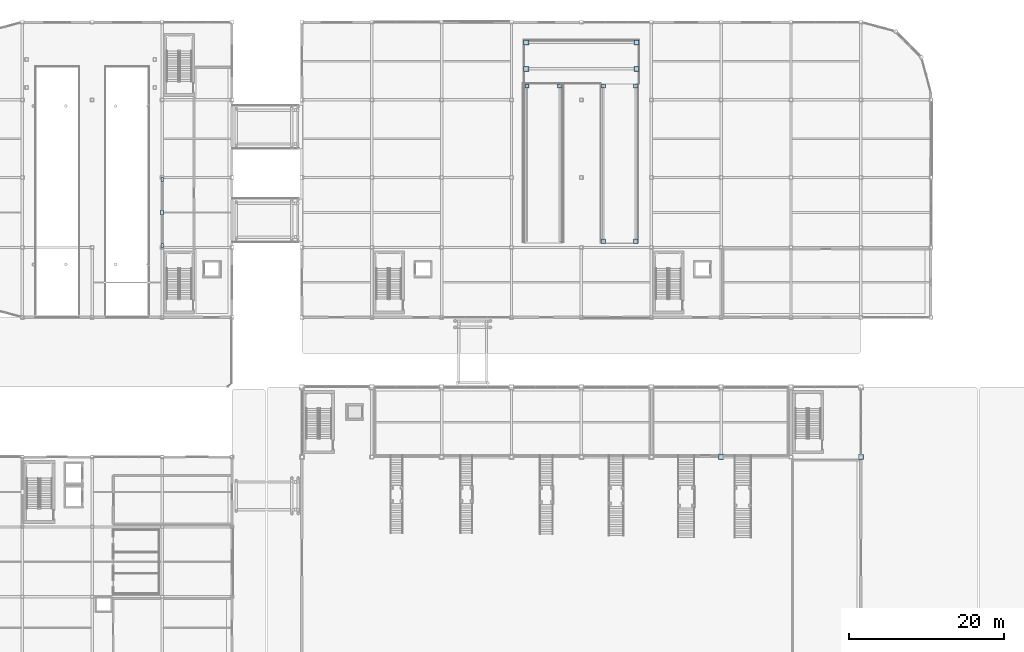
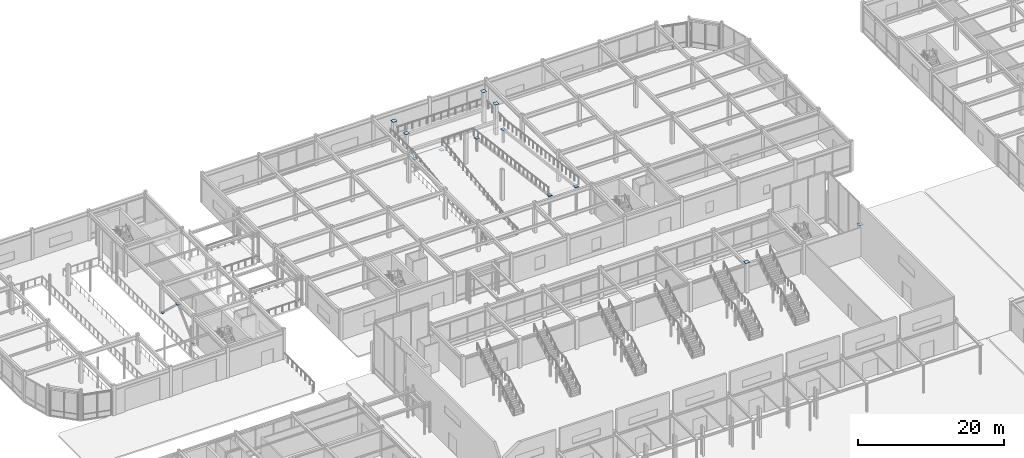
# One storey, part 80 of 123: 15 plates.
"""IFC4 building model written with IfcOpenShell, lengths in metres."""

from ifc_helpers import new_model, si_unit, direction, frame, origin, origin_2d, place, context, subcontext, project, spatial, rectangle, extrude, material, layer, layer_set, type_object, element, save


model = new_model("IFC4")

# Units and contexts
model_context = context("Model", 3, precision=1e-05, world=origin(), true_north=direction((0.0, 1.0)))
body_context = subcontext(model_context, "Body", "Model", "MODEL_VIEW")
ifc_project = project(units=[si_unit("LENGTHUNIT", "METRE"), si_unit("AREAUNIT", "SQUARE_METRE"), si_unit("VOLUMEUNIT", "CUBIC_METRE"), si_unit("PLANEANGLEUNIT", "RADIAN"), si_unit("MASSUNIT", "GRAM", prefix="KILO")], contexts=[model_context])

# Site, building, storey
site_placement = place(None, origin())
site = spatial("IfcSite", under=ifc_project, at=site_placement, CompositionType="ELEMENT")
building_placement = place(site_placement, origin())
building = spatial("IfcBuilding", under=site, at=building_placement, Name="Suzunagisa Mobility Hub", CompositionType="ELEMENT")
storey_placement = place(building_placement, origin())
storey = spatial("IfcBuildingStorey", under=building, at=storey_placement, Name="L00", CompositionType="ELEMENT", Elevation=0.0)

# Plates
ifc_material = material(Name="Steel SN490B", Category="steel")
ifc_layer_1 = layer(ifc_material, 0.02392578125)
ifc_layer_set_1 = layer_set([ifc_layer_1], Name="Steel SN490B")
plate_type_1 = type_object("IfcPlateType", Name="Structural Steel Plate SP-01 550x550x24", PredefinedType="USERDEFINED", material=ifc_layer_set_1)
for number, where, z_axis, x_axis, name in (
    (1, (74.0, 109.800048828125, 2.150146484375), (0.0, 0.0, 1.0), (1.0, 0.0, 0.0), "L00 Column Cap Plate CP-162"),
    (2, (78.199951171875, 109.800048828125, 2.150146484375), (0.0, 0.0, 1.0), (1.0, 0.0, 0.0), "L00 Column Cap Plate CP-164"),
    (3, (83.800048828125, 89.800048828125, 4.699951171875), (0.0, 0.0, 1.0), (1.0, 0.0, 0.0), "L00 Column Cap Plate CP-176"),
    (4, (83.800048828125, 109.800048828125, 2.150146484375), (0.0, 0.0, 1.0), (1.0, 0.0, 0.0), "L00 Column Cap Plate CP-177"),
    (5, (88.0, 89.800048828125, 4.699951171875), (0.0, 0.0, 1.0), (1.0, 0.0, 0.0), "L00 Column Cap Plate CP-178"),
    (6, (88.0, 109.800048828125, 2.150146484375), (0.0, 0.0, 1.0), (1.0, 0.0, 0.0), "L00 Column Cap Plate CP-179"),
):
    element("IfcPlate", number, at=place(storey_placement, frame(where, z_axis=z_axis, x_axis=x_axis)), inside=storey, type_object=plate_type_1, Name=name, ObjectType="BASE PLATE", PredefinedType="USERDEFINED", context=body_context, shape_type="SweptSolid", body=[
        extrude(rectangle(XDim=0.550048828125, YDim=0.550048828125, at=origin_2d()), origin(), (0.0, 0.0, 1.0), 0.02392578125),
    ])
ifc_layer_2 = layer(ifc_material, 0.028076171875)
ifc_layer_set_2 = layer_set([ifc_layer_2], Name="Steel SN490B")
plate_type_2 = type_object("IfcPlateType", Name="Structural Steel Plate SP-04 480x320x28", PredefinedType="USERDEFINED", material=ifc_layer_set_2)
for number, where, z_axis, x_axis, name in (
    (7, (27.0, 89.2451171875, 0.10595703125), (0.0, 0.0, 1.0), (1.0, 0.0, 0.0), "L00 Brace Foot Gusset Plate FGP-109.1"),
    (8, (27.0, 97.7548828125, 0.10595703125), (0.0, 0.0, 1.0), (1.0, 0.0, 0.0), "L00 Brace Foot Gusset Plate FGP-109.2"),
):
    element("IfcPlate", number, at=place(storey_placement, frame(where, z_axis=z_axis, x_axis=x_axis)), inside=storey, type_object=plate_type_2, Name=name, ObjectType="GUSSET PLATE", PredefinedType="USERDEFINED", context=body_context, shape_type="SweptSolid", body=[
        extrude(rectangle(XDim=0.320068359375, YDim=0.47998046875, at=origin_2d()), origin(), (0.0, 0.0, 1.0), 0.028076171875),
    ])
ifc_layer_3 = layer(ifc_material, 0.031982421875)
ifc_layer_set_3 = layer_set([ifc_layer_3], Name="Steel SN490B")
plate_type_3 = type_object("IfcPlateType", Name="Structural Steel Plate SP-05 650x650x32", PredefinedType="USERDEFINED", material=ifc_layer_set_3)
for number, where, z_axis, x_axis, name in (
    (9, (73.89990234375, 112.0, 5.10009765625), (0.0, 0.0, 1.0), (1.0, 0.0, 0.0), "L00 Column Cap Plate CP-159"),
    (10, (73.89990234375, 115.39990234375, 5.10009765625), (0.0, 0.0, 1.0), (1.0, 0.0, 0.0), "L00 Column Cap Plate CP-160"),
    (11, (88.10009765625, 112.0, 5.10009765625), (0.0, 0.0, 1.0), (1.0, 0.0, 0.0), "L00 Column Cap Plate CP-180"),
    (12, (88.10009765625, 115.39990234375, 5.10009765625), (0.0, 0.0, 1.0), (1.0, 0.0, 0.0), "L00 Column Cap Plate CP-181"),
    (13, (99.0, 62.0, 5.0400390625), (0.0, 0.0, 1.0), (1.0, 0.0, 0.0), "L00 Column Cap Plate CP-193"),
    (14, (117.0, 62.0, 5.0400390625), (0.0, 0.0, 1.0), (1.0, 0.0, 0.0), "L00 Column Cap Plate CP-213"),
):
    element("IfcPlate", number, at=place(storey_placement, frame(where, z_axis=z_axis, x_axis=x_axis)), inside=storey, type_object=plate_type_3, Name=name, ObjectType="BASE PLATE", PredefinedType="USERDEFINED", context=body_context, shape_type="SweptSolid", body=[
        extrude(rectangle(XDim=0.64990234375, YDim=0.64990234375, at=origin_2d()), origin(), (0.0, 0.0, 1.0), 0.031982421875),
    ])
ifc_layer_4 = layer(ifc_material, 0.028076171875)
ifc_layer_set_4 = layer_set([ifc_layer_4], Name="Steel SN490B")
plate_type_4 = type_object("IfcPlateType", Name="Structural Steel Plate SP-06 600x400x28", PredefinedType="USERDEFINED", material=ifc_layer_set_4)
plate_placement = place(storey_placement, frame((27.0, 93.5, 4.11181640625), z_axis=(0.0, 0.0, 1.0), x_axis=(1.0, 0.0, 0.0)))
element("IfcPlate", 15, at=plate_placement, inside=storey, type_object=plate_type_4, Name="L00 Brace Apex Gusset GP-109", ObjectType="GUSSET PLATE", PredefinedType="USERDEFINED", context=body_context, shape_type="SweptSolid", body=[
    extrude(rectangle(XDim=0.39990234375, YDim=0.60009765625, at=origin_2d()), origin(), (0.0, 0.0, 1.0), 0.028076171875),
])

save(model, "model.ifc")
